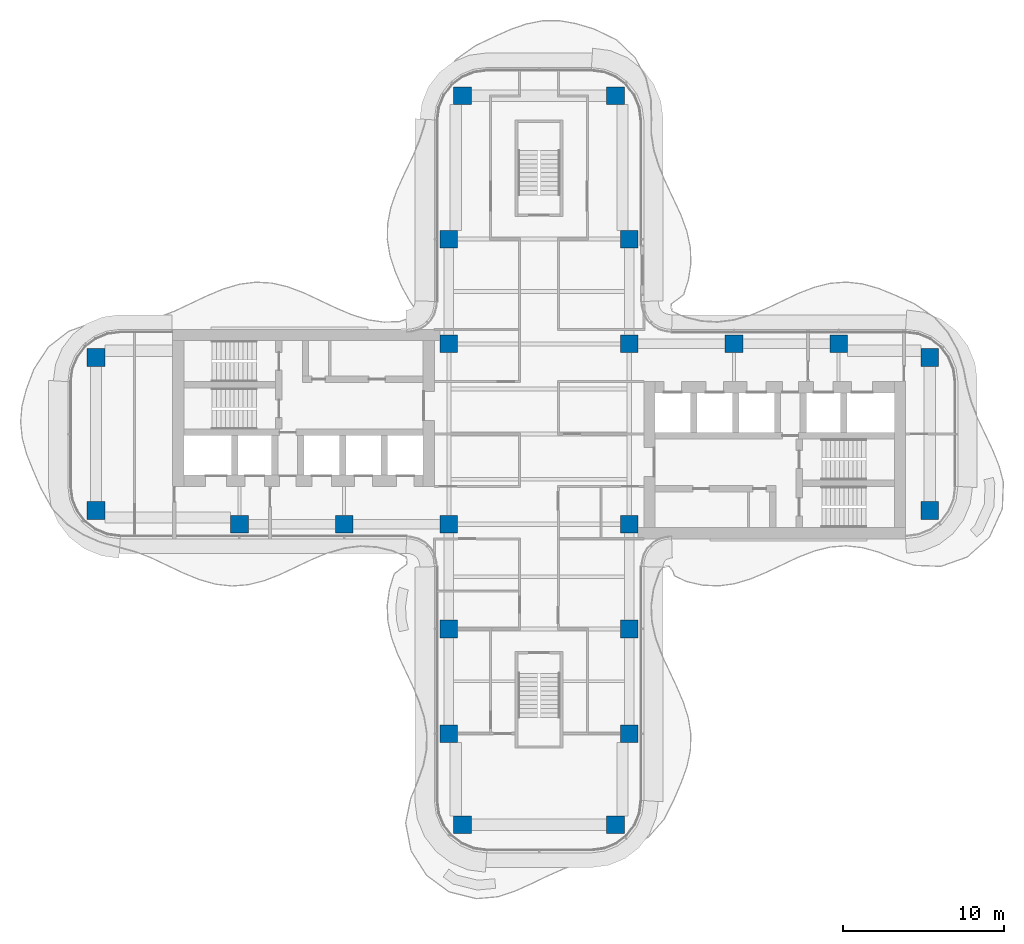
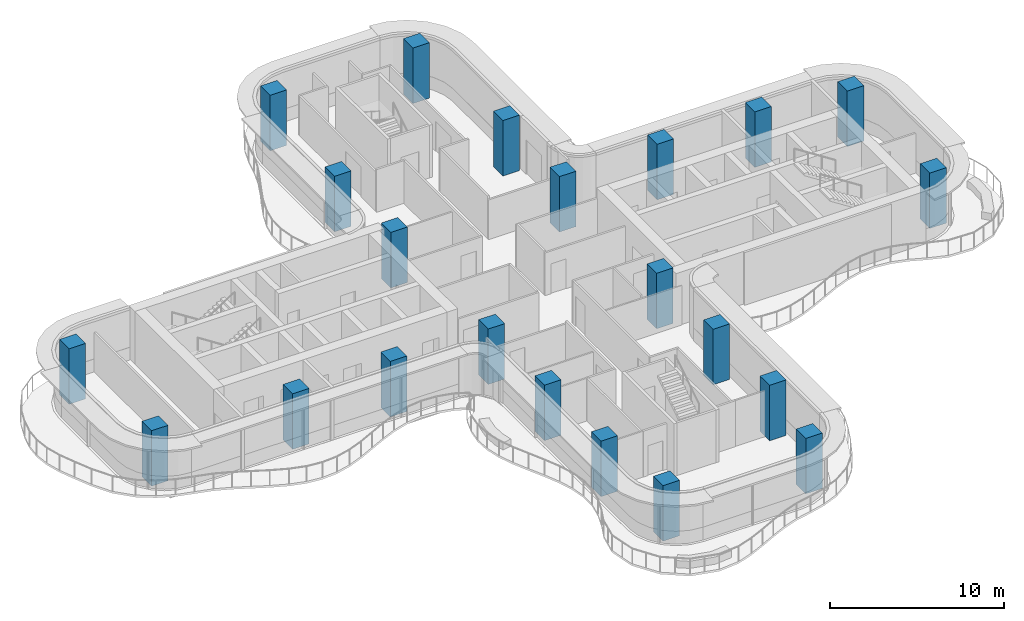
# One storey, part 1 of 19: 22 columns.
"""IFC4 building model written with IfcOpenShell, lengths in metres."""

from ifc_helpers import new_model, si_unit, direction, frame, origin, origin_2d, place, context, subcontext, project, spatial, rectangle, extrude, source, transform, mapped, material, material_profile, profile_set, type_object, element, save


model = new_model("IFC4")

# Units and contexts
model_context = context("Model", 3, precision=1e-05, world=origin(), true_north=direction((0.0, 1.0)))
body_context = subcontext(model_context, "Body", "Model", "MODEL_VIEW")
ifc_project = project(units=[si_unit("LENGTHUNIT", "METRE"), si_unit("AREAUNIT", "SQUARE_METRE"), si_unit("VOLUMEUNIT", "CUBIC_METRE"), si_unit("PLANEANGLEUNIT", "RADIAN"), si_unit("MASSUNIT", "GRAM", prefix="KILO")], contexts=[model_context])

# Site, building, storey
site_placement = place(None, origin())
site = spatial("IfcSite", under=ifc_project, at=site_placement, CompositionType="ELEMENT")
building_placement = place(site_placement, origin())
building = spatial("IfcBuilding", under=site, at=building_placement, Name="Trellis Farm Tower", CompositionType="ELEMENT")
storey_placement = place(building_placement, frame((0.0, 0.0, 228.5)))
storey = spatial("IfcBuildingStorey", under=building, at=storey_placement, Name="L50", CompositionType="ELEMENT", Elevation=228.5)

# Columns
ifc_material = material(Name="Concrete C60/75", Category="concrete")
ifc_material_profile = material_profile(ifc_material, rectangle(XDim=1.10009765625, YDim=1.10009765625, at=origin_2d()), Name="RC column 1100x1100 C60/75")
ifc_profile_set = profile_set([ifc_material_profile], Name="Concrete C60/75")
column_type = type_object("IfcColumnType", Name="RC column 1100x1100 C60/75", PredefinedType="COLUMN", material=ifc_profile_set)
shared_shape = source(origin(), body_context, "Body", "SweptSolid", [
    extrude(rectangle(XDim=1.10009765625, YDim=1.10009765625, at=origin_2d()), origin(), (0.0, 0.0, 1.0), 3.89990234375),
])
for number, where, z_axis, x_axis, name in (
    (1, (12.10009765625, 5.60009765625, 0.0), (0.0, 0.0, 1.0), (1.0, 0.0, 0.0), "Column"),
    (2, (18.60009765625, 5.60009765625, 0.0), (0.0, 0.0, 1.0), (1.0, 0.0, 0.0), "Column"),
    (3, (24.25, 4.75, 0.0), (0.0, 0.0, 1.0), (1.0, 0.0, 0.0), "Column"),
    (4, (24.25, -4.75, 0.0), (0.0, 0.0, 1.0), (1.0, 0.0, 0.0), "Column"),
    (5, (-5.60009765625, 12.10009765625, 0.0), (0.0, 0.0, 1.0), (1.0, 0.0, 0.0), "Column"),
    (6, (-4.75, 21.0, 0.0), (0.0, 0.0, 1.0), (1.0, 0.0, 0.0), "Column"),
    (7, (5.60009765625, 12.10009765625, 0.0), (0.0, 0.0, 1.0), (1.0, 0.0, 0.0), "Column"),
    (8, (4.75, 21.0, 0.0), (0.0, 0.0, 1.0), (1.0, 0.0, 0.0), "Column"),
    (9, (5.60009765625, 5.60009765625, 0.0), (0.0, 0.0, 1.0), (1.0, 0.0, 0.0), "Column"),
    (10, (-5.60009765625, 5.60009765625, 0.0), (0.0, 0.0, 1.0), (1.0, 0.0, 0.0), "Column"),
    (11, (5.60009765625, -5.60009765625, 0.0), (0.0, 0.0, 1.0), (1.0, 0.0, 0.0), "Column"),
    (12, (-5.60009765625, -5.60009765625, 0.0), (0.0, 0.0, 1.0), (1.0, 0.0, 0.0), "Column"),
    (13, (5.60009765625, -12.10009765625, 0.0), (0.0, 0.0, 1.0), (1.0, 0.0, 0.0), "Column"),
    (14, (5.60009765625, -18.60009765625, 0.0), (0.0, 0.0, 1.0), (1.0, 0.0, 0.0), "Column"),
    (15, (4.75, -24.25, 0.0), (0.0, 0.0, 1.0), (1.0, 0.0, 0.0), "Column"),
    (16, (-5.60009765625, -12.10009765625, 0.0), (0.0, 0.0, 1.0), (1.0, 0.0, 0.0), "Column"),
    (17, (-5.60009765625, -18.60009765625, 0.0), (0.0, 0.0, 1.0), (1.0, 0.0, 0.0), "Column"),
    (18, (-4.75, -24.25, 0.0), (0.0, 0.0, 1.0), (1.0, 0.0, 0.0), "Column"),
    (19, (-12.10009765625, -5.60009765625, 0.0), (0.0, 0.0, 1.0), (1.0, 0.0, 0.0), "Column"),
    (20, (-18.60009765625, -5.60009765625, 0.0), (0.0, 0.0, 1.0), (1.0, 0.0, 0.0), "Column"),
    (21, (-27.5, -4.75, 0.0), (0.0, 0.0, 1.0), (1.0, 0.0, 0.0), "Column"),
    (22, (-27.5, 4.75, 0.0), (0.0, 0.0, 1.0), (1.0, 0.0, 0.0), "Column"),
):
    element("IfcColumn", number, at=place(storey_placement, frame(where, z_axis=z_axis, x_axis=x_axis)), inside=storey, type_object=column_type, Name=name, PredefinedType="COLUMN", context=body_context, shape_type="MappedRepresentation", body=[
        mapped(shared_shape, transform((0.0, 0.0, 0.0))),
    ])

save(model, "model.ifc")
